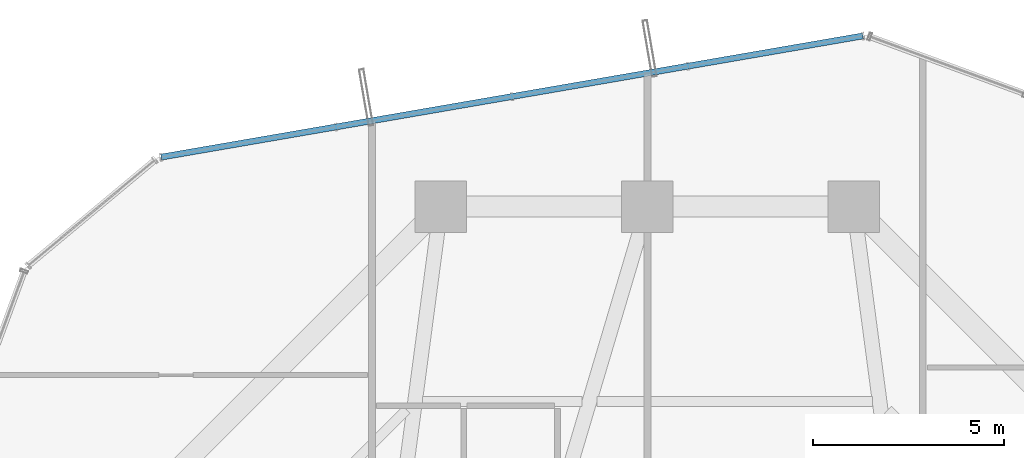
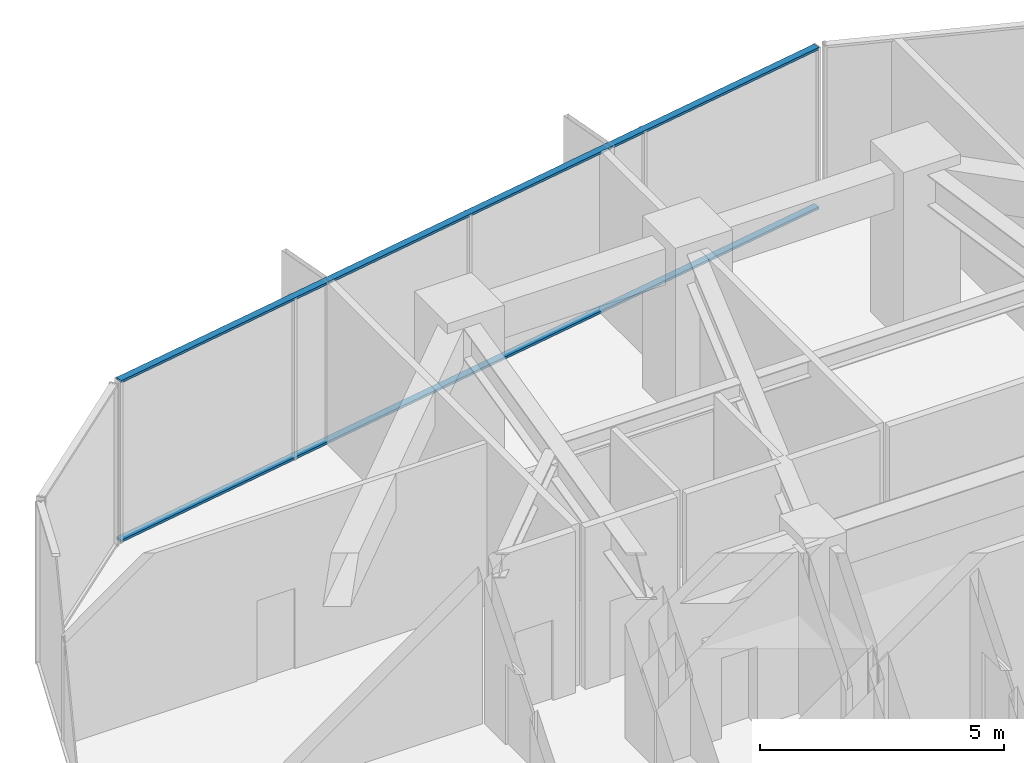
# One storey, part 24 of 35: 2 members, 1 element without a shape of its own.
"""IFC4 building model written with IfcOpenShell, lengths in metres."""

from ifc_helpers import new_model, si_unit, direction, frame, origin, origin_2d, place, context, subcontext, project, spatial, hollow_rectangle, extrude, source, transform, mapped, material, layer, layer_set, material_profile, profile_set, type_object, element, aggregate, save


model = new_model("IFC4")

# Units and contexts
model_context = context("Model", 3, precision=1e-05, world=origin(), true_north=direction((0.0, 1.0)))
body_context = subcontext(model_context, "Body", "Model", "MODEL_VIEW")
ifc_project = project(units=[si_unit("LENGTHUNIT", "METRE"), si_unit("AREAUNIT", "SQUARE_METRE"), si_unit("VOLUMEUNIT", "CUBIC_METRE"), si_unit("PLANEANGLEUNIT", "RADIAN"), si_unit("MASSUNIT", "GRAM", prefix="KILO")], contexts=[model_context])

# Site, building, storey
site_placement = place(None, origin())
site = spatial("IfcSite", under=ifc_project, at=site_placement, CompositionType="ELEMENT")
building_placement = place(site_placement, origin())
building = spatial("IfcBuilding", under=site, at=building_placement, Name="Veraguas Prism Commons", CompositionType="ELEMENT")
storey_placement = place(building_placement, frame((0.0, 0.0, 56.550048828125)))
storey = spatial("IfcBuildingStorey", under=building, at=storey_placement, Name="L15", CompositionType="ELEMENT", Elevation=56.550048828125)

# Curtain wall, members
ifc_material = material(Name="Anodised aluminium EN AW-6063 T6", Category="aluminium")
ifc_layer = layer(ifc_material, 0.199951171875, Name="Sky Lobby and Pool Acoustic Curtain Wall", Category="aluminium")
ifc_layer_set = layer_set([ifc_layer], Name="Anodised aluminium EN AW-6063 T6")
curtain_wall_type = type_object("IfcCurtainWallType", Name="Sky Lobby and Pool Acoustic Curtain Wall", PredefinedType="NOTDEFINED", material=ifc_layer_set)
curtain_wall_placement = place(storey_placement, origin())
curtain_wall = element("IfcCurtainWall", 1, at=curtain_wall_placement, inside=storey, type_object=curtain_wall_type, Name="Tower Facade Curtain Wall L15-F2", PredefinedType="NOTDEFINED")
ifc_material_profile = material_profile(ifc_material, hollow_rectangle(XDim=0.06005859375, YDim=0.159912109375, WallThickness=0.0029296875, at=origin_2d()), Name="AL60X160X3")
ifc_profile_set = profile_set([ifc_material_profile], Name="Anodised aluminium EN AW-6063 T6")
member_type = type_object("IfcMemberType", Name="Curtain Wall Transom Heavy AL 60x160x3", PredefinedType="USERDEFINED", material=ifc_profile_set)
shared_shape = source(origin(), body_context, "Body", "SweptSolid", [
    extrude(hollow_rectangle(XDim=0.06005859375, YDim=0.159912109375, WallThickness=0.0029296875, at=origin_2d()), origin(), (0.0, 0.0, 1.0), 18.619140625),
])
member_1_placement = place(storey_placement, frame((29.635986328125, 46.06591796875, 0.030029296875), z_axis=(-0.98540752831, -0.170211642227, 0.0), x_axis=(0.0, 0.0, 1.0)))
member_1 = element("IfcMember", 2, at=member_1_placement, type_object=member_type, Name="CW-SKY Transom 1", ObjectType="TRANSOM", PredefinedType="USERDEFINED", context=body_context, shape_type="MappedRepresentation", body=[
    mapped(shared_shape, transform((0.0, 0.0, 0.0), scale=1.0)),
])
member_2_placement = place(storey_placement, frame((29.635986328125, 46.06591796875, 4.02001953125), z_axis=(-0.98540752831, -0.170211642227, 0.0), x_axis=(0.0, 0.0, 1.0)))
member_2 = element("IfcMember", 3, at=member_2_placement, type_object=member_type, Name="CW-SKY Transom 2", ObjectType="TRANSOM", PredefinedType="USERDEFINED", context=body_context, shape_type="MappedRepresentation", body=[
    mapped(shared_shape, transform((0.0, 0.0, 0.0), scale=1.0)),
])
aggregate(curtain_wall, [member_1, member_2])

save(model, "model.ifc")
